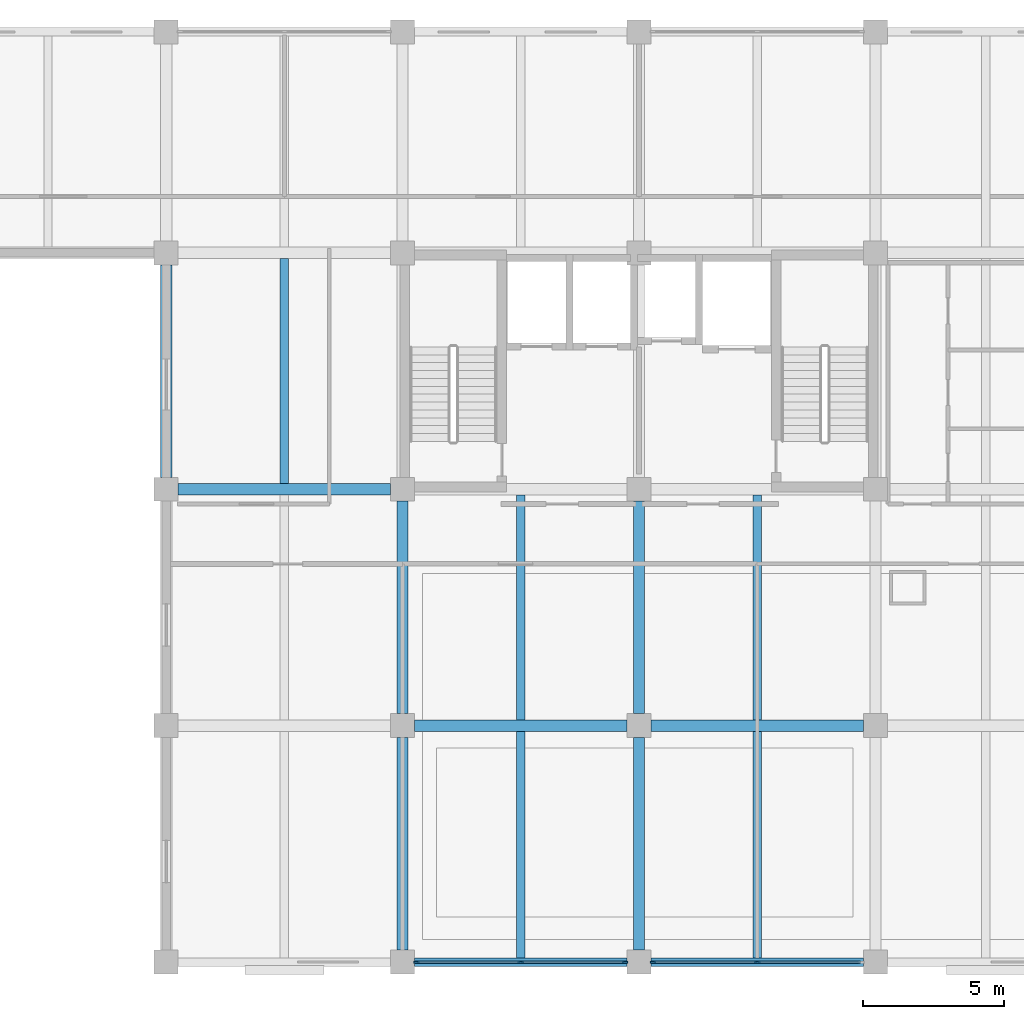
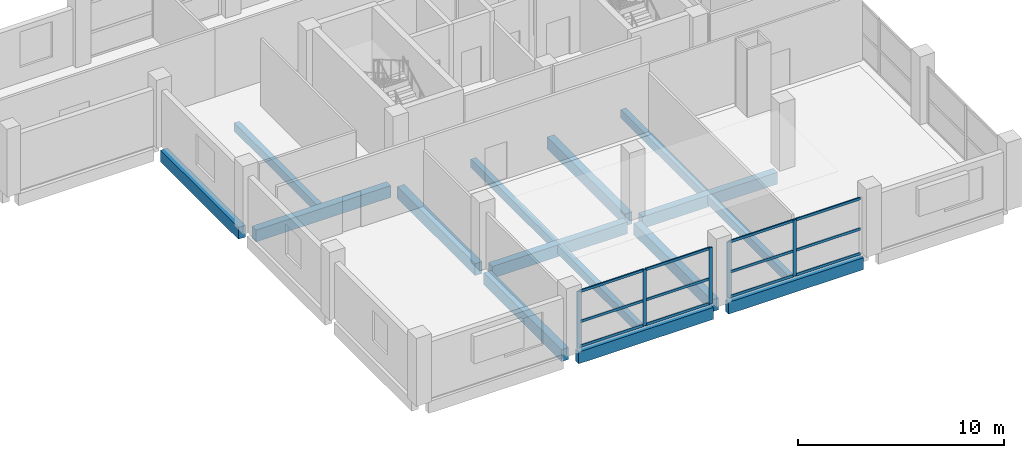
# One storey, part 2 of 9: 17 members, 15 beams, 2 elements without a shape of their own.
"""IFC4 building model written with IfcOpenShell, lengths in metres."""

from ifc_helpers import new_model, si_unit, direction, frame, origin, origin_2d, place, context, subcontext, project, spatial, rectangle, extrude, material, material_profile, profile_set, type_object, element, aggregate, save


model = new_model("IFC4")

# Units and contexts
model_context = context("Model", 3, precision=1e-05, world=origin(), true_north=direction((0.0, 1.0)))
body_context = subcontext(model_context, "Body", "Model", "MODEL_VIEW")
ifc_project = project(units=[si_unit("LENGTHUNIT", "METRE"), si_unit("AREAUNIT", "SQUARE_METRE"), si_unit("VOLUMEUNIT", "CUBIC_METRE"), si_unit("PLANEANGLEUNIT", "RADIAN"), si_unit("MASSUNIT", "GRAM", prefix="KILO")], contexts=[model_context])

# Site, building, storey
site_placement = place(None, origin())
site = spatial("IfcSite", under=ifc_project, at=site_placement, CompositionType="ELEMENT")
building_placement = place(site_placement, origin())
building = spatial("IfcBuilding", under=site, at=building_placement, Name="Brinegate Botanical Conservatory", CompositionType="ELEMENT")
storey_placement = place(building_placement, frame((0.0, 0.0, 36.0)))
storey = spatial("IfcBuildingStorey", under=building, at=storey_placement, Name="L09", CompositionType="ELEMENT", Elevation=36.0)

# Beams
ifc_material_1 = material(Name="Concrete C40/50", Category="concrete")
ifc_material_profile_1 = material_profile(ifc_material_1, rectangle(XDim=0.39990234375, YDim=0.699951171875, at=origin_2d()), Name="RC BM 400x700")
ifc_profile_set_1 = profile_set([ifc_material_profile_1], Name="Concrete C40/50")
beam_type_1 = type_object("IfcBeamType", Name="Beam_BM-T2", PredefinedType="BEAM", material=ifc_profile_set_1)
beam_1_placement = place(storey_placement, frame((139.22509765625, 86.800048828125, -0.530029296875), z_axis=(1.0, 0.0, 0.0), x_axis=(0.0, 1.0, 0.0)))
element("IfcBeam", 1, at=beam_1_placement, inside=storey, type_object=beam_type_1, Name="Beam BM-T2 L09 L:18-19", PredefinedType="BEAM", context=body_context, shape_type="SweptSolid", body=[
    extrude(rectangle(XDim=0.39990234375, YDim=0.699951171875, at=origin_2d()), origin(), (0.0, 0.0, 1.0), 7.5498046875),
])
for number, where, z_axis, x_axis, name in (
    (2, (147.625, 86.800048828125, -0.530029296875), (1.0, 0.0, 0.0), (0.0, 1.0, 0.0), "Beam BM-T2 L09 L:19-20"),
    (3, (130.824951171875, 95.199951171875, -0.530029296875), (1.0, 0.0, 0.0), (0.0, 1.0, 0.0), "Beam BM-T2 L09 M:17-18"),
    (4, (130.39990234375, 95.625, -0.530029296875), (0.0, 1.0, 0.0), (-1.0, 0.0, 0.0), "Beam BM-T2 L09 17:M-N"),
    (5, (138.800048828125, 78.824951171875, -0.530029296875), (0.0, 1.0, 0.0), (-1.0, 0.0, 0.0), "Beam BM-T2 L09 18:K-L"),
):
    element("IfcBeam", number, at=place(storey_placement, frame(where, z_axis=z_axis, x_axis=x_axis)), inside=storey, type_object=beam_type_1, Name=name, PredefinedType="BEAM", context=body_context, shape_type="SweptSolid", body=[
        extrude(rectangle(XDim=0.39990234375, YDim=0.699951171875, at=origin_2d()), origin(), (0.0, 0.0, 1.0), 7.550048828125),
    ])
beam_2_placement = place(storey_placement, frame((138.800048828125, 87.22509765625, -0.530029296875), z_axis=(0.0, 1.0, 0.0), x_axis=(-1.0, 0.0, 0.0)))
element("IfcBeam", 6, at=beam_2_placement, inside=storey, type_object=beam_type_1, Name="Beam BM-T2 L09 18:L-M", PredefinedType="BEAM", context=body_context, shape_type="SweptSolid", body=[
    extrude(rectangle(XDim=0.39990234375, YDim=0.699951171875, at=origin_2d()), origin(), (0.0, 0.0, 1.0), 7.5498046875),
])
beam_3_placement = place(storey_placement, frame((147.199951171875, 78.824951171875, -0.530029296875), z_axis=(0.0, 1.0, 0.0), x_axis=(-1.0, 0.0, 0.0)))
element("IfcBeam", 7, at=beam_3_placement, inside=storey, type_object=beam_type_1, Name="Beam BM-T2 L09 19:K-L", PredefinedType="BEAM", context=body_context, shape_type="SweptSolid", body=[
    extrude(rectangle(XDim=0.39990234375, YDim=0.699951171875, at=origin_2d()), origin(), (0.0, 0.0, 1.0), 7.550048828125),
])
beam_4_placement = place(storey_placement, frame((147.199951171875, 87.22509765625, -0.530029296875), z_axis=(0.0, 1.0, 0.0), x_axis=(-1.0, 0.0, 0.0)))
element("IfcBeam", 8, at=beam_4_placement, inside=storey, type_object=beam_type_1, Name="Beam BM-T2 L09 19:L-M", PredefinedType="BEAM", context=body_context, shape_type="SweptSolid", body=[
    extrude(rectangle(XDim=0.39990234375, YDim=0.699951171875, at=origin_2d()), origin(), (0.0, 0.0, 1.0), 7.5498046875),
])
ifc_material_profile_2 = material_profile(ifc_material_1, rectangle(XDim=0.300048828125, YDim=0.5, at=origin_2d()), Name="RC JST 300x500")
ifc_profile_set_2 = profile_set([ifc_material_profile_2], Name="Concrete C40/50")
beam_type_2 = type_object("IfcBeamType", Name="Beam_JS-C2", PredefinedType="JOIST", material=ifc_profile_set_2)
beam_5_placement = place(storey_placement, frame((134.60009765625, 95.39990234375, -0.429931640625), z_axis=(0.0, 1.0, 0.0), x_axis=(-1.0, 0.0, 0.0)))
element("IfcBeam", 9, at=beam_5_placement, inside=storey, type_object=beam_type_2, Name="Floor joist JS-C2 L09 bay 17.12", PredefinedType="JOIST", context=body_context, shape_type="SweptSolid", body=[
    extrude(rectangle(XDim=0.300048828125, YDim=0.5, at=origin_2d()), origin(), (0.0, 0.0, 1.0), 8.0),
])
beam_6_placement = place(storey_placement, frame((143.0, 78.550048828125, -0.429931640625), z_axis=(0.0, 1.0, 0.0), x_axis=(-1.0, 0.0, 0.0)))
element("IfcBeam", 10, at=beam_6_placement, inside=storey, type_object=beam_type_2, Name="Floor joist JS-C2 L09 bay 18.10", PredefinedType="JOIST", context=body_context, shape_type="SweptSolid", body=[
    extrude(rectangle(XDim=0.300048828125, YDim=0.5, at=origin_2d()), origin(), (0.0, 0.0, 1.0), 8.050048828125),
])
beam_7_placement = place(storey_placement, frame((143.0, 87.0, -0.429931640625), z_axis=(0.0, 1.0, 0.0), x_axis=(-1.0, 0.0, 0.0)))
element("IfcBeam", 11, at=beam_7_placement, inside=storey, type_object=beam_type_2, Name="Floor joist JS-C2 L09 bay 18.11", PredefinedType="JOIST", context=body_context, shape_type="SweptSolid", body=[
    extrude(rectangle(XDim=0.300048828125, YDim=0.5, at=origin_2d()), origin(), (0.0, 0.0, 1.0), 8.0),
])
beam_8_placement = place(storey_placement, frame((151.39990234375, 78.550048828125, -0.429931640625), z_axis=(0.0, 1.0, 0.0), x_axis=(-1.0, 0.0, 0.0)))
element("IfcBeam", 12, at=beam_8_placement, inside=storey, type_object=beam_type_2, Name="Floor joist JS-C2 L09 bay 19.10", PredefinedType="JOIST", context=body_context, shape_type="SweptSolid", body=[
    extrude(rectangle(XDim=0.300048828125, YDim=0.5, at=origin_2d()), origin(), (0.0, 0.0, 1.0), 8.050048828125),
])
beam_9_placement = place(storey_placement, frame((151.39990234375, 87.0, -0.429931640625), z_axis=(0.0, 1.0, 0.0), x_axis=(-1.0, 0.0, 0.0)))
element("IfcBeam", 13, at=beam_9_placement, inside=storey, type_object=beam_type_2, Name="Floor joist JS-C2 L09 bay 19.11", PredefinedType="JOIST", context=body_context, shape_type="SweptSolid", body=[
    extrude(rectangle(XDim=0.300048828125, YDim=0.5, at=origin_2d()), origin(), (0.0, 0.0, 1.0), 8.0),
])
ifc_material_profile_3 = material_profile(ifc_material_1, rectangle(XDim=0.300048828125, YDim=0.699951171875, at=origin_2d()), Name="RC SPN 300x700")
ifc_profile_set_3 = profile_set([ifc_material_profile_3], Name="Concrete C40/50")
beam_type_3 = type_object("IfcBeamType", Name="Beam_SP-02", PredefinedType="SPANDREL", material=ifc_profile_set_3)
beam_10_placement = place(storey_placement, frame((139.22509765625, 78.39990234375, -0.530029296875), z_axis=(1.0, 0.0, 0.0), x_axis=(0.0, 1.0, 0.0)))
element("IfcBeam", 14, at=beam_10_placement, inside=storey, type_object=beam_type_3, Name="Beam SP-02 L09 K:18-19", PredefinedType="SPANDREL", context=body_context, shape_type="SweptSolid", body=[
    extrude(rectangle(XDim=0.300048828125, YDim=0.699951171875, at=origin_2d()), origin(), (0.0, 0.0, 1.0), 7.5498046875),
])
beam_11_placement = place(storey_placement, frame((147.625, 78.39990234375, -0.530029296875), z_axis=(1.0, 0.0, 0.0), x_axis=(0.0, 1.0, 0.0)))
element("IfcBeam", 15, at=beam_11_placement, inside=storey, type_object=beam_type_3, Name="Beam SP-02 L09 K:19-20", PredefinedType="SPANDREL", context=body_context, shape_type="SweptSolid", body=[
    extrude(rectangle(XDim=0.300048828125, YDim=0.699951171875, at=origin_2d()), origin(), (0.0, 0.0, 1.0), 7.550048828125),
])

# Curtain wall, members
ifc_material_2 = material(Name="Thermally broken anodised aluminium AW-6063-T6", Category="aluminium")
curtain_wall_type = type_object("IfcCurtainWallType", Name="CW_CW-TW1", PredefinedType="USERDEFINED", material=ifc_material_2)
curtain_wall_1_placement = place(storey_placement, origin())
curtain_wall_1 = element("IfcCurtainWall", 16, at=curtain_wall_1_placement, inside=storey, type_object=curtain_wall_type, Name="Tower south curtain wall L09.2", ObjectType="FACTORY CURTAIN WALL", PredefinedType="USERDEFINED")
ifc_material_profile_4 = material_profile(ifc_material_2, rectangle(XDim=0.070068359375, YDim=0.199951171875, at=origin_2d()), Name="ALUM MULLION 70x200")
ifc_profile_set_4 = profile_set([ifc_material_profile_4], Name="Thermally broken anodised aluminium AW-6063-T6")
member_type_1 = type_object("IfcMemberType", Name="Member_ML-03", PredefinedType="MULLION", material=ifc_profile_set_4)
member_1_placement = place(storey_placement, frame((146.699951171875, 78.39990234375, 0.0), z_axis=(0.0, 0.0, 1.0), x_axis=(0.0, -1.0, 0.0)))
member_1 = element("IfcMember", 17, at=member_1_placement, type_object=member_type_1, Name="CW-TW1 mullion 1", PredefinedType="MULLION", context=body_context, shape_type="SweptSolid", body=[
    extrude(rectangle(XDim=0.070068359375, YDim=0.199951171875, at=origin_2d()), origin(), (0.0, 0.0, 1.0), 3.320068359375),
])
member_2_placement = place(storey_placement, frame((143.0, 78.39990234375, 0.0), z_axis=(0.0, 0.0, 1.0), x_axis=(0.0, -1.0, 0.0)))
member_2 = element("IfcMember", 18, at=member_2_placement, type_object=member_type_1, Name="CW-TW1 mullion 2", PredefinedType="MULLION", context=body_context, shape_type="SweptSolid", body=[
    extrude(rectangle(XDim=0.070068359375, YDim=0.199951171875, at=origin_2d()), origin(), (0.0, 0.0, 1.0), 3.320068359375),
])
member_3_placement = place(storey_placement, frame((139.300048828125, 78.39990234375, 0.0), z_axis=(0.0, 0.0, 1.0), x_axis=(0.0, -1.0, 0.0)))
member_3 = element("IfcMember", 19, at=member_3_placement, type_object=member_type_1, Name="CW-TW1 mullion 3", PredefinedType="MULLION", context=body_context, shape_type="SweptSolid", body=[
    extrude(rectangle(XDim=0.070068359375, YDim=0.199951171875, at=origin_2d()), origin(), (0.0, 0.0, 1.0), 3.320068359375),
])

curtain_wall_2_placement = place(storey_placement, origin())
curtain_wall_2 = element("IfcCurtainWall", 20, at=curtain_wall_2_placement, inside=storey, type_object=curtain_wall_type, Name="Tower south curtain wall L09.3", ObjectType="FACTORY CURTAIN WALL", PredefinedType="USERDEFINED")
member_4_placement = place(storey_placement, frame((151.39990234375, 78.39990234375, 0.0), z_axis=(0.0, 0.0, 1.0), x_axis=(0.0, -1.0, 0.0)))
member_4 = element("IfcMember", 21, at=member_4_placement, type_object=member_type_1, Name="CW-TW1 mullion 2", PredefinedType="MULLION", context=body_context, shape_type="SweptSolid", body=[
    extrude(rectangle(XDim=0.070068359375, YDim=0.199951171875, at=origin_2d()), origin(), (0.0, 0.0, 1.0), 3.320068359375),
])
member_5_placement = place(storey_placement, frame((147.699951171875, 78.39990234375, 0.0), z_axis=(0.0, 0.0, 1.0), x_axis=(0.0, -1.0, 0.0)))
member_5 = element("IfcMember", 22, at=member_5_placement, type_object=member_type_1, Name="CW-TW1 mullion 3", PredefinedType="MULLION", context=body_context, shape_type="SweptSolid", body=[
    extrude(rectangle(XDim=0.070068359375, YDim=0.199951171875, at=origin_2d()), origin(), (0.0, 0.0, 1.0), 3.320068359375),
])

# Member
ifc_material_profile_5 = material_profile(ifc_material_2, rectangle(XDim=0.070068359375, YDim=0.14990234375, at=origin_2d()), Name="ALUM TRANSOM 70x150")
ifc_profile_set_5 = profile_set([ifc_material_profile_5], Name="Thermally broken anodised aluminium AW-6063-T6")
member_type_2 = type_object("IfcMemberType", Name="Member_TR-03", PredefinedType="USERDEFINED", material=ifc_profile_set_5)
member_6_placement = place(storey_placement, frame((146.6650390625, 78.39990234375, 0.034912109375), z_axis=(-1.0, 0.0, 0.0), x_axis=(0.0, -1.0, 0.0)))
member_6 = element("IfcMember", 23, at=member_6_placement, type_object=member_type_2, Name="CW-TW1 transom 1.1", ObjectType="TRANSOM", PredefinedType="USERDEFINED", context=body_context, shape_type="SweptSolid", body=[
    extrude(rectangle(XDim=0.070068359375, YDim=0.14990234375, at=origin_2d()), origin(), (0.0, 0.0, 1.0), 3.630126953125),
])

member_7_placement = place(storey_placement, frame((146.6650390625, 78.39990234375, 1.493896484375), z_axis=(-1.0, 0.0, 0.0), x_axis=(0.0, -1.0, 0.0)))
member_7 = element("IfcMember", 24, at=member_7_placement, type_object=member_type_2, Name="CW-TW1 transom 1.2", ObjectType="TRANSOM", PredefinedType="USERDEFINED", context=body_context, shape_type="SweptSolid", body=[
    extrude(rectangle(XDim=0.070068359375, YDim=0.14990234375, at=origin_2d()), origin(), (0.0, 0.0, 1.0), 3.630126953125),
])

member_8_placement = place(storey_placement, frame((146.6650390625, 78.39990234375, 3.284912109375), z_axis=(-1.0, 0.0, 0.0), x_axis=(0.0, -1.0, 0.0)))
member_8 = element("IfcMember", 25, at=member_8_placement, type_object=member_type_2, Name="CW-TW1 transom 1.3", ObjectType="TRANSOM", PredefinedType="USERDEFINED", context=body_context, shape_type="SweptSolid", body=[
    extrude(rectangle(XDim=0.070068359375, YDim=0.14990234375, at=origin_2d()), origin(), (0.0, 0.0, 1.0), 3.630126953125),
])

member_9_placement = place(storey_placement, frame((142.965087890625, 78.39990234375, 0.034912109375), z_axis=(-1.0, 0.0, 0.0), x_axis=(0.0, -1.0, 0.0)))
member_9 = element("IfcMember", 26, at=member_9_placement, type_object=member_type_2, Name="CW-TW1 transom 2.1", ObjectType="TRANSOM", PredefinedType="USERDEFINED", context=body_context, shape_type="SweptSolid", body=[
    extrude(rectangle(XDim=0.070068359375, YDim=0.14990234375, at=origin_2d()), origin(), (0.0, 0.0, 1.0), 3.630126953125),
])

member_10_placement = place(storey_placement, frame((142.965087890625, 78.39990234375, 1.493896484375), z_axis=(-1.0, 0.0, 0.0), x_axis=(0.0, -1.0, 0.0)))
member_10 = element("IfcMember", 27, at=member_10_placement, type_object=member_type_2, Name="CW-TW1 transom 2.2", ObjectType="TRANSOM", PredefinedType="USERDEFINED", context=body_context, shape_type="SweptSolid", body=[
    extrude(rectangle(XDim=0.070068359375, YDim=0.14990234375, at=origin_2d()), origin(), (0.0, 0.0, 1.0), 3.630126953125),
])

member_11_placement = place(storey_placement, frame((142.965087890625, 78.39990234375, 3.284912109375), z_axis=(-1.0, 0.0, 0.0), x_axis=(0.0, -1.0, 0.0)))
member_11 = element("IfcMember", 28, at=member_11_placement, type_object=member_type_2, Name="CW-TW1 transom 2.3", ObjectType="TRANSOM", PredefinedType="USERDEFINED", context=body_context, shape_type="SweptSolid", body=[
    extrude(rectangle(XDim=0.070068359375, YDim=0.14990234375, at=origin_2d()), origin(), (0.0, 0.0, 1.0), 3.630126953125),
])

aggregate(curtain_wall_1, [member_1, member_2, member_3, member_6, member_7, member_8, member_9, member_10, member_11])

member_12_placement = place(storey_placement, frame((155.06494140625, 78.39990234375, 0.034912109375), z_axis=(-1.0, 0.0, 0.0), x_axis=(0.0, -1.0, 0.0)))
member_12 = element("IfcMember", 29, at=member_12_placement, type_object=member_type_2, Name="CW-TW1 transom 1.1", ObjectType="TRANSOM", PredefinedType="USERDEFINED", context=body_context, shape_type="SweptSolid", body=[
    extrude(rectangle(XDim=0.070068359375, YDim=0.14990234375, at=origin_2d()), origin(), (0.0, 0.0, 1.0), 3.6298828125),
])

member_13_placement = place(storey_placement, frame((155.06494140625, 78.39990234375, 1.493896484375), z_axis=(-1.0, 0.0, 0.0), x_axis=(0.0, -1.0, 0.0)))
member_13 = element("IfcMember", 30, at=member_13_placement, type_object=member_type_2, Name="CW-TW1 transom 1.2", ObjectType="TRANSOM", PredefinedType="USERDEFINED", context=body_context, shape_type="SweptSolid", body=[
    extrude(rectangle(XDim=0.070068359375, YDim=0.14990234375, at=origin_2d()), origin(), (0.0, 0.0, 1.0), 3.6298828125),
])

member_14_placement = place(storey_placement, frame((155.06494140625, 78.39990234375, 3.284912109375), z_axis=(-1.0, 0.0, 0.0), x_axis=(0.0, -1.0, 0.0)))
member_14 = element("IfcMember", 31, at=member_14_placement, type_object=member_type_2, Name="CW-TW1 transom 1.3", ObjectType="TRANSOM", PredefinedType="USERDEFINED", context=body_context, shape_type="SweptSolid", body=[
    extrude(rectangle(XDim=0.070068359375, YDim=0.14990234375, at=origin_2d()), origin(), (0.0, 0.0, 1.0), 3.6298828125),
])

member_15_placement = place(storey_placement, frame((151.364990234375, 78.39990234375, 0.034912109375), z_axis=(-1.0, 0.0, 0.0), x_axis=(0.0, -1.0, 0.0)))
member_15 = element("IfcMember", 32, at=member_15_placement, type_object=member_type_2, Name="CW-TW1 transom 2.1", ObjectType="TRANSOM", PredefinedType="USERDEFINED", context=body_context, shape_type="SweptSolid", body=[
    extrude(rectangle(XDim=0.070068359375, YDim=0.14990234375, at=origin_2d()), origin(), (0.0, 0.0, 1.0), 3.6298828125),
])

member_16_placement = place(storey_placement, frame((151.364990234375, 78.39990234375, 1.493896484375), z_axis=(-1.0, 0.0, 0.0), x_axis=(0.0, -1.0, 0.0)))
member_16 = element("IfcMember", 33, at=member_16_placement, type_object=member_type_2, Name="CW-TW1 transom 2.2", ObjectType="TRANSOM", PredefinedType="USERDEFINED", context=body_context, shape_type="SweptSolid", body=[
    extrude(rectangle(XDim=0.070068359375, YDim=0.14990234375, at=origin_2d()), origin(), (0.0, 0.0, 1.0), 3.6298828125),
])

member_17_placement = place(storey_placement, frame((151.364990234375, 78.39990234375, 3.284912109375), z_axis=(-1.0, 0.0, 0.0), x_axis=(0.0, -1.0, 0.0)))
member_17 = element("IfcMember", 34, at=member_17_placement, type_object=member_type_2, Name="CW-TW1 transom 2.3", ObjectType="TRANSOM", PredefinedType="USERDEFINED", context=body_context, shape_type="SweptSolid", body=[
    extrude(rectangle(XDim=0.070068359375, YDim=0.14990234375, at=origin_2d()), origin(), (0.0, 0.0, 1.0), 3.6298828125),
])

aggregate(curtain_wall_2, [member_4, member_5, member_12, member_13, member_14, member_15, member_16, member_17])

save(model, "model.ifc")
